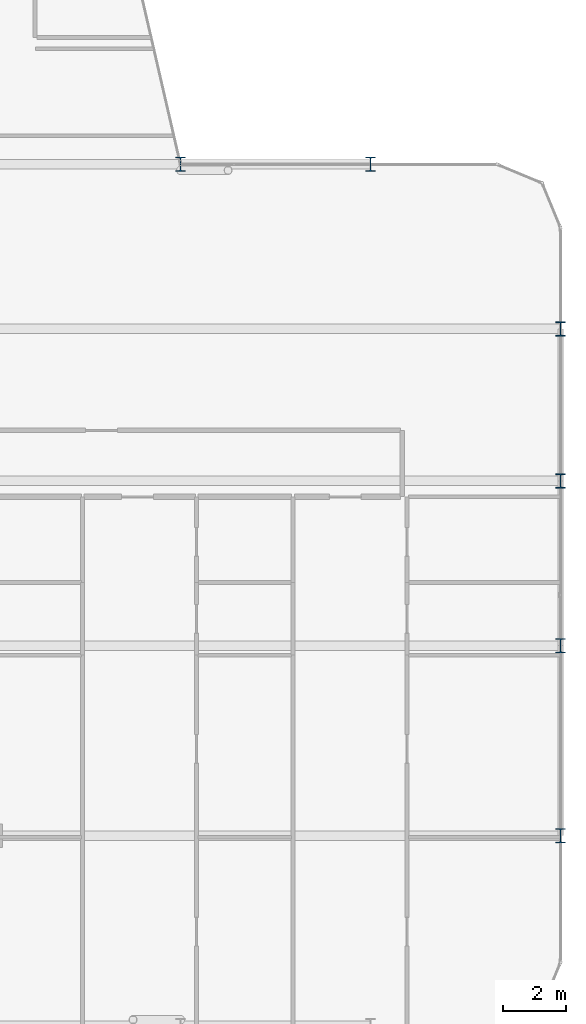
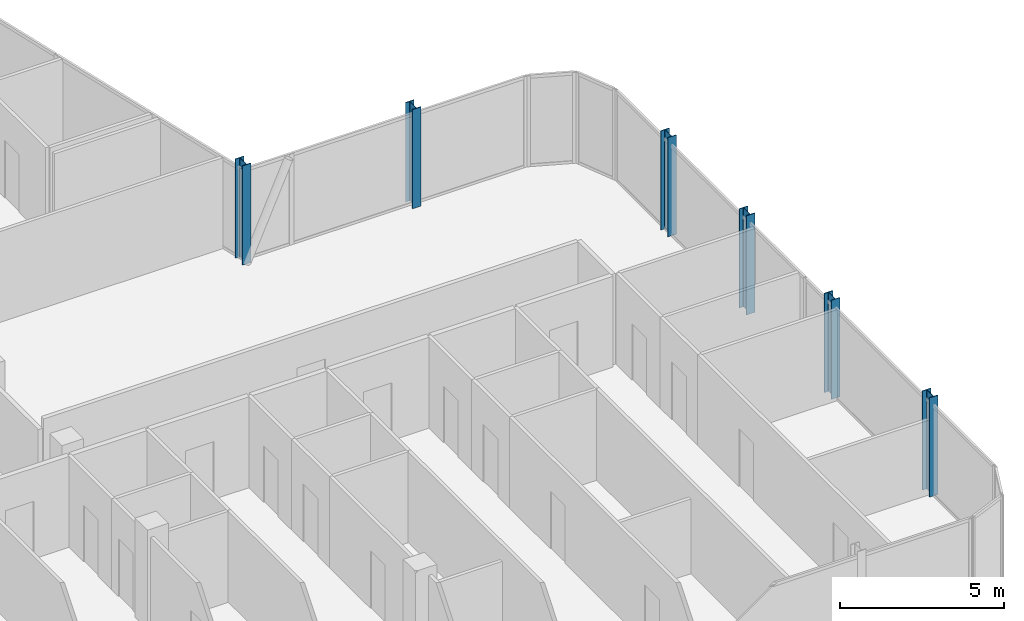
# One storey, part 2 of 29: 6 columns.
"""IFC4 building model written with IfcOpenShell, lengths in metres."""

from ifc_helpers import new_model, si_unit, direction, frame, origin, origin_2d, place, context, subcontext, project, spatial, i_section, extrude, material, material_profile, profile_set, type_object, element, save


model = new_model("IFC4")

# Units and contexts
model_context = context("Model", 3, precision=1e-05, world=origin(), true_north=direction((0.0, 1.0)))
body_context = subcontext(model_context, "Body", "Model", "MODEL_VIEW")
ifc_project = project(units=[si_unit("LENGTHUNIT", "METRE"), si_unit("AREAUNIT", "SQUARE_METRE"), si_unit("VOLUMEUNIT", "CUBIC_METRE"), si_unit("PLANEANGLEUNIT", "RADIAN"), si_unit("MASSUNIT", "GRAM", prefix="KILO")], contexts=[model_context])

# Site, building, storey
site_placement = place(None, origin())
site = spatial("IfcSite", under=ifc_project, at=site_placement, CompositionType="ELEMENT")
building_placement = place(site_placement, origin())
building = spatial("IfcBuilding", under=site, at=building_placement, Name="Keshet Zoharim Tower", CompositionType="ELEMENT")
storey_placement = place(building_placement, frame((0.0, 0.0, 222.800048828125)))
storey = spatial("IfcBuildingStorey", under=building, at=storey_placement, Name="L55", CompositionType="ELEMENT", Elevation=222.800048828125)

# Columns
ifc_material = material(Name="Steel S355", Category="steel")
ifc_material_profile = material_profile(ifc_material, i_section(OverallWidth=0.300048828125, OverallDepth=0.449951171875, WebThickness=0.013916015625, FlangeThickness=0.02587890625, FilletRadius=0.027099609375, at=origin_2d()), Name="HEB450")
ifc_profile_set = profile_set([ifc_material_profile], Name="Steel S355")
column_type = type_object("IfcColumnType", Name="COL-HEB450", PredefinedType="COLUMN", material=ifc_profile_set)
for number, where, z_axis, x_axis, name in (
    (1, (45.0, 27.89990234375, 0.0), (0.0, 0.0, 1.0), (1.0, 0.0, 0.0), "L55 Column 8F"),
    (2, (51.0, 27.89990234375, 0.0), (0.0, 0.0, 1.0), (1.0, 0.0, 0.0), "L55 Column 9F"),
    (3, (57.0, 6.699951171875, 0.0), (0.0, 0.0, 1.0), (1.0, 0.0, 0.0), "L55 Column 10B"),
    (4, (57.0, 12.699951171875, 0.0), (0.0, 0.0, 1.0), (1.0, 0.0, 0.0), "L55 Column 10C"),
    (5, (57.0, 17.89990234375, 0.0), (0.0, 0.0, 1.0), (1.0, 0.0, 0.0), "L55 Column 10D"),
    (6, (57.0, 22.699951171875, 0.0), (0.0, 0.0, 1.0), (1.0, 0.0, 0.0), "L55 Column 10E"),
):
    element("IfcColumn", number, at=place(storey_placement, frame(where, z_axis=z_axis, x_axis=x_axis)), inside=storey, type_object=column_type, Name=name, PredefinedType="COLUMN", context=body_context, shape_type="SweptSolid", body=[
        extrude(i_section(OverallWidth=0.300048828125, OverallDepth=0.449951171875, WebThickness=0.013916015625, FlangeThickness=0.02587890625, FilletRadius=0.027099609375, at=origin_2d()), origin(), (0.0, 0.0, 1.0), 3.699951171875),
    ])

save(model, "model.ifc")
